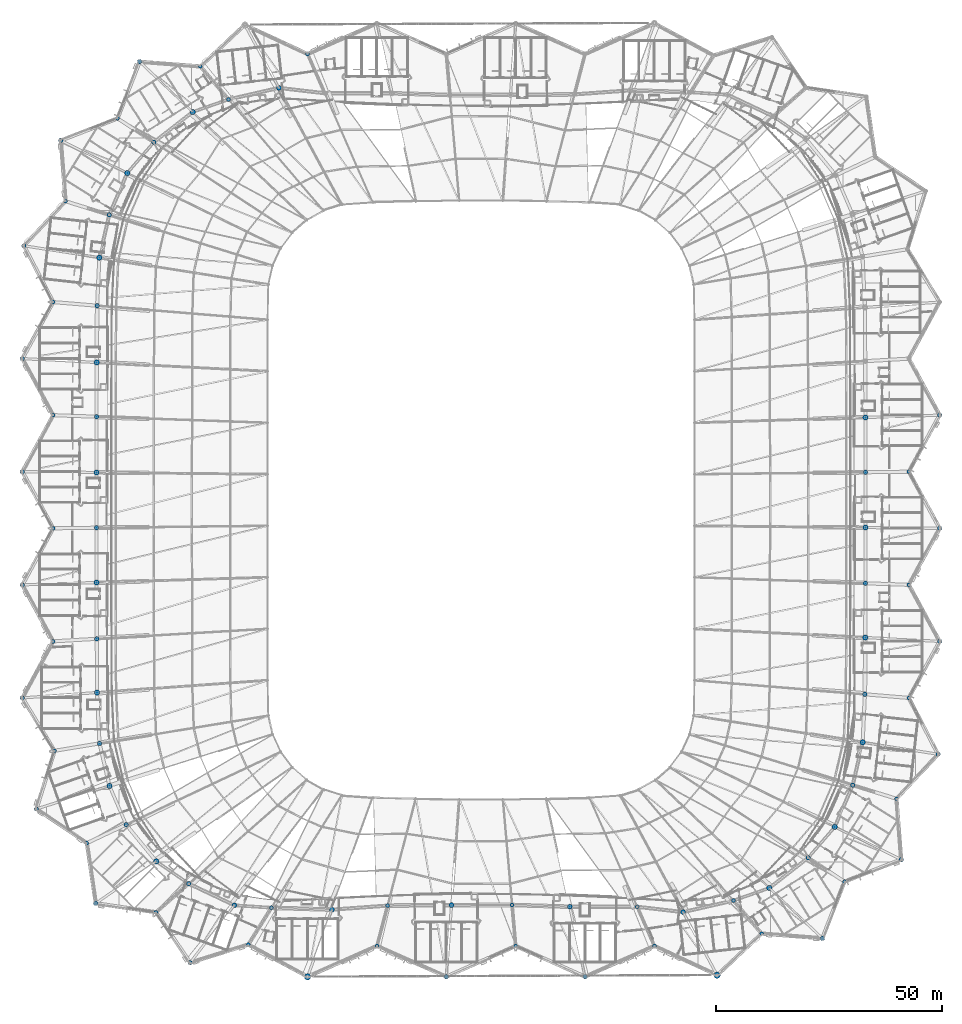
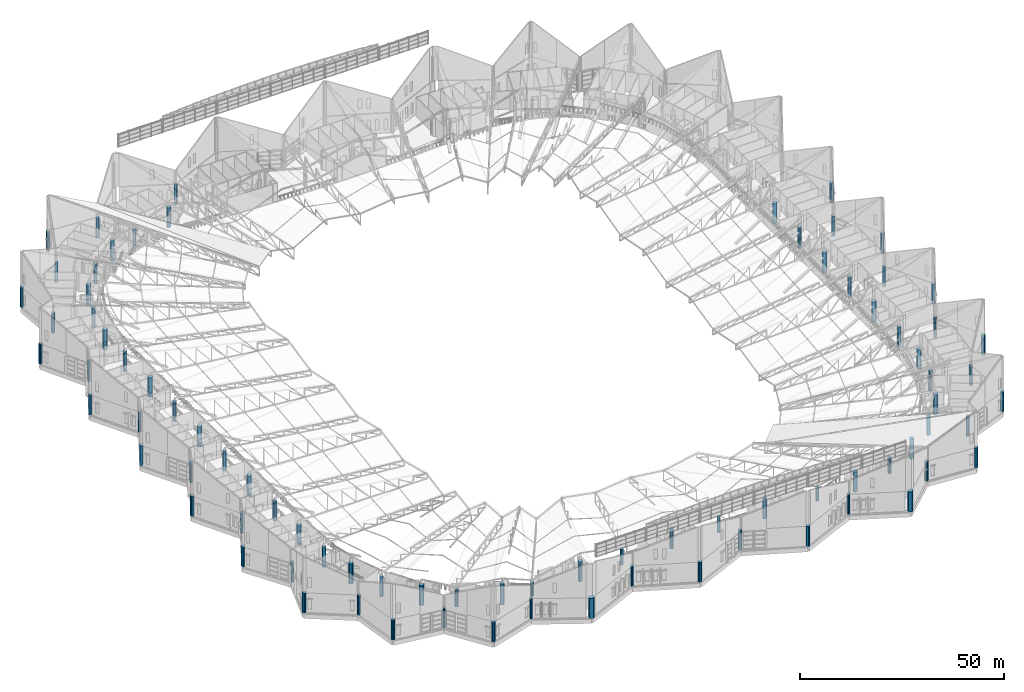
# One storey, part 1 of 344: 82 columns.
"""IFC4 building model written with IfcOpenShell, lengths in metres."""

from ifc_helpers import new_model, si_unit, direction, frame, origin, origin_2d, place, context, subcontext, project, spatial, circle, extrude, material, material_profile, profile_set, type_object, element, save


model = new_model("IFC4")

# Units and contexts
model_context = context("Model", 3, precision=1e-05, world=origin(), true_north=direction((0.0, 1.0)))
body_context = subcontext(model_context, "Body", "Model", "MODEL_VIEW")
ifc_project = project(units=[si_unit("LENGTHUNIT", "METRE"), si_unit("AREAUNIT", "SQUARE_METRE"), si_unit("VOLUMEUNIT", "CUBIC_METRE"), si_unit("PLANEANGLEUNIT", "RADIAN"), si_unit("MASSUNIT", "GRAM", prefix="KILO")], contexts=[model_context])

# Site, building, storey
site_placement = place(None, origin())
site = spatial("IfcSite", under=ifc_project, at=site_placement, CompositionType="ELEMENT")
building_placement = place(site_placement, origin())
building = spatial("IfcBuilding", under=site, at=building_placement, Name="Meseta Stadium", CompositionType="ELEMENT")
storey_placement = place(building_placement, frame((0.0, 0.0, 24.0)))
storey = spatial("IfcBuildingStorey", under=building, at=storey_placement, Name="L04", CompositionType="ELEMENT", Elevation=24.0)

# Columns
ifc_material_1 = material(Name="Concrete C40/50", Category="concrete")
ifc_material_profile_1 = material_profile(ifc_material_1, circle(Radius=0.5, at=origin_2d()), Name="RC D1000")
ifc_profile_set_1 = profile_set([ifc_material_profile_1], Name="Concrete C40/50")
column_type_1 = type_object("IfcColumnType", Name="RC column D1000", PredefinedType="COLUMN", material=ifc_profile_set_1)
for number, where, z_axis, x_axis, name in (
    (1, (101.0517578125, -56.202880859375, 0.0), (0.0, 0.0, 1.0), (1.0, 0.0, 0.0), "Column C10 L04 frame 0 line R"),
    (2, (84.85400390625, -42.948486328125, 0.0), (0.0, 0.0, 1.0), (1.0, 0.0, 0.0), "Column C10 L04 frame 1 line P"),
    (3, (101.39990234375, -31.25, 0.0), (0.0, 0.0, 1.0), (1.0, 0.0, 0.0), "Column C10 L04 frame 2 line R"),
    (4, (84.97314453125, -18.41064453125, 0.0), (0.0, 0.0, 1.0), (1.0, 0.0, 0.0), "Column C10 L04 frame 3 line P"),
    (5, (101.39990234375, -6.25, 0.0), (0.0, 0.0, 1.0), (1.0, 0.0, 0.0), "Column C10 L04 frame 4 line R"),
    (6, (84.9970703125, 6.13720703125, 0.0), (0.0, 0.0, 1.0), (1.0, 0.0, 0.0), "Column C10 L04 frame 5 line P"),
    (7, (101.39990234375, 18.75, 0.0), (0.0, 0.0, 1.0), (1.0, 0.0, 0.0), "Column C10 L04 frame 6 line R"),
    (8, (-75.474609375, 96.908447265625, 0.0), (0.0, 0.0, 1.0), (1.0, 0.0, 0.0), "Column C10 L04 frame 24 line R"),
    (9, (-72.31201171875, 79.091064453125, 0.0), (0.0, 0.0, 1.0), (1.0, 0.0, 0.0), "Column C10 L04 frame 25 line P"),
    (10, (-92.908447265625, 79.474609375, 0.0), (0.0, 0.0, 1.0), (1.0, 0.0, 0.0), "Column C10 L04 frame 26 line R"),
    (11, (-82.169189453125, 63.03369140625, 0.0), (0.0, 0.0, 1.0), (1.0, 0.0, 0.0), "Column C10 L04 frame 27 line P"),
    (12, (-101.0517578125, 56.202880859375, 0.0), (0.0, 0.0, 1.0), (1.0, 0.0, 0.0), "Column C10 L04 frame 28 line R"),
    (13, (-84.85400390625, 42.948486328125, 0.0), (0.0, 0.0, 1.0), (1.0, 0.0, 0.0), "Column C10 L04 frame 29 line P"),
    (14, (-101.39990234375, 31.25, 0.0), (0.0, 0.0, 1.0), (1.0, 0.0, 0.0), "Column C10 L04 frame 30 line R"),
    (15, (-84.97314453125, 18.41064453125, 0.0), (0.0, 0.0, 1.0), (1.0, 0.0, 0.0), "Column C10 L04 frame 31 line P"),
    (16, (-101.39990234375, 6.25, 0.0), (0.0, 0.0, 1.0), (1.0, 0.0, 0.0), "Column C10 L04 frame 32 line R"),
    (17, (-84.9970703125, -6.13720703125, 0.0), (0.0, 0.0, 1.0), (1.0, 0.0, 0.0), "Column C10 L04 frame 33 line P"),
    (18, (-101.39990234375, -18.75, 0.0), (0.0, 0.0, 1.0), (1.0, 0.0, 0.0), "Column C10 L04 frame 34 line R"),
    (19, (-84.92529296875, -30.681640625, 0.0), (0.0, 0.0, 1.0), (1.0, 0.0, 0.0), "Column C10 L04 frame 35 line P"),
    (20, (-101.39990234375, -43.75, 0.0), (0.0, 0.0, 1.0), (1.0, 0.0, 0.0), "Column C10 L04 frame 36 line R"),
    (21, (-84.3251953125, -53.801513671875, 0.0), (0.0, 0.0, 1.0), (1.0, 0.0, 0.0), "Column C10 L04 frame 37 line P"),
    (22, (-98.291015625, -68.29736328125, 0.0), (0.0, 0.0, 1.0), (1.0, 0.0, 0.0), "Column C10 L04 frame 38 line R"),
    (23, (-78.4453125, -71.756103515625, 0.0), (0.0, 0.0, 1.0), (1.0, 0.0, 0.0), "Column C10 L04 frame 39 line P"),
    (24, (-85.173828125, -89.173828125, 0.0), (0.0, 0.0, 1.0), (1.0, 0.0, 0.0), "Column C10 L04 frame 40 line R"),
):
    element("IfcColumn", number, at=place(storey_placement, frame(where, z_axis=z_axis, x_axis=x_axis)), inside=storey, type_object=column_type_1, Name=name, PredefinedType="COLUMN", context=body_context, shape_type="SweptSolid", body=[
        extrude(circle(Radius=0.5, at=origin_2d()), origin(), (0.0, 0.0, 1.0), 6.0),
    ])
column_1_placement = place(storey_placement, frame((-64.6220703125, -84.79248046875, 0.0), z_axis=(0.0, 0.0, 1.0), x_axis=(1.0, 0.0, 0.0)))
element("IfcColumn", 25, at=column_1_placement, inside=storey, type_object=column_type_1, Name="Column C10 L04 frame 41 line P", PredefinedType="COLUMN", context=body_context, shape_type="SweptSolid", body=[
    extrude(circle(Radius=0.5, at=origin_2d()), origin(), (0.0, 0.0, 1.0), 5.300048828125),
])
for number, where, z_axis, x_axis, name in (
    (26, (-64.29736328125, -102.291015625, 0.0), (0.0, 0.0, 1.0), (1.0, 0.0, 0.0), "Column C10 L04 frame 42 line R"),
    (27, (-7.666748046875, -105.39990234375, 0.0), (0.0, 0.0, 1.0), (1.0, 0.0, 0.0), "Column C10 L04 frame 46 line R"),
    (28, (23.0, -105.39990234375, 0.0), (0.0, 0.0, 1.0), (1.0, 0.0, 0.0), "Column C10 L04 frame 48 line R"),
    (29, (75.474609375, -96.908447265625, 0.0), (0.0, 0.0, 1.0), (1.0, 0.0, 0.0), "Column C10 L04 frame 52 line R"),
    (30, (72.31201171875, -79.091064453125, 0.0), (0.0, 0.0, 1.0), (1.0, 0.0, 0.0), "Column C10 L04 frame 53 line P"),
    (31, (92.908447265625, -79.474609375, 0.0), (0.0, 0.0, 1.0), (1.0, 0.0, 0.0), "Column C10 L04 frame 54 line R"),
    (32, (82.169189453125, -63.03369140625, 0.0), (0.0, 0.0, 1.0), (1.0, 0.0, 0.0), "Column C10 L04 frame 55 line P"),
):
    element("IfcColumn", number, at=place(storey_placement, frame(where, z_axis=z_axis, x_axis=x_axis)), inside=storey, type_object=column_type_1, Name=name, PredefinedType="COLUMN", context=body_context, shape_type="SweptSolid", body=[
        extrude(circle(Radius=0.5, at=origin_2d()), origin(), (0.0, 0.0, 1.0), 6.0),
    ])
ifc_material_2 = material(Name="Concrete C40/50", Category="concrete")
ifc_material_profile_2 = material_profile(ifc_material_2, circle(Radius=0.550048828125, at=origin_2d()), Name="RC D1100")
ifc_profile_set_2 = profile_set([ifc_material_profile_2], Name="Concrete C40/50")
column_type_2 = type_object("IfcColumnType", Name="RC column D1100", PredefinedType="COLUMN", material=ifc_profile_set_2)
for number, where, z_axis, x_axis, name in (
    (33, (-44.6826171875, 91.0908203125, 0.0), (0.0, 0.0, 1.0), (1.0, 0.0, 0.0), "Column C11 L04 frame 22 line P"),
    (34, (-54.523193359375, -89.579345703125, 0.0), (0.0, 0.0, 1.0), (1.0, 0.0, 0.0), "Column C11 L04 frame 42 line P"),
    (35, (-32.944091796875, -90.551025390625, 0.0), (0.0, 0.0, 1.0), (1.0, 0.0, 0.0), "Column C11 L04 frame 44 line P"),
    (36, (-6.51708984375, -89.54638671875, 0.0), (0.0, 0.0, 1.0), (1.0, 0.0, 0.0), "Column C11 L04 frame 46 line P"),
    (37, (19.62744140625, -89.90380859375, 0.0), (0.0, 0.0, 1.0), (1.0, 0.0, 0.0), "Column C11 L04 frame 48 line P"),
    (38, (44.6826171875, -91.0908203125, 0.0), (0.0, 0.0, 1.0), (1.0, 0.0, 0.0), "Column C11 L04 frame 50 line P"),
):
    element("IfcColumn", number, at=place(storey_placement, frame(where, z_axis=z_axis, x_axis=x_axis)), inside=storey, type_object=column_type_2, Name=name, PredefinedType="COLUMN", context=body_context, shape_type="SweptSolid", body=[
        extrude(circle(Radius=0.550048828125, at=origin_2d()), origin(), (0.0, 0.0, 1.0), 6.0),
    ])
ifc_material_3 = material(Name="Concrete C40/50", Category="concrete")
ifc_material_profile_3 = material_profile(ifc_material_3, circle(Radius=0.60009765625, at=origin_2d()), Name="RC D1200")
ifc_profile_set_3 = profile_set([ifc_material_profile_3], Name="Concrete C40/50")
column_type_3 = type_object("IfcColumnType", Name="RC column D1200", PredefinedType="COLUMN", material=ifc_profile_set_3)
for number, where, z_axis, x_axis, name in (
    (39, (84.36328125, -53.5654296875, 0.0), (0.0, 0.0, 1.0), (1.0, 0.0, 0.0), "Column C12 L04 frame 0 line P"),
    (40, (84.940673828125, -30.404052734375, 0.0), (0.0, 0.0, 1.0), (1.0, 0.0, 0.0), "Column C12 L04 frame 2 line P"),
    (41, (84.99755859375, -6.081298828125, 0.0), (0.0, 0.0, 1.0), (1.0, 0.0, 0.0), "Column C12 L04 frame 4 line P"),
    (42, (84.978515625, 18.24365234375, 0.0), (0.0, 0.0, 1.0), (1.0, 0.0, 0.0), "Column C12 L04 frame 6 line P"),
    (43, (-63.731201171875, 85.77099609375, 0.0), (0.0, 0.0, 1.0), (1.0, 0.0, 0.0), "Column C12 L04 frame 24 line P"),
    (44, (-78.197998046875, 72.27197265625, 0.0), (0.0, 0.0, 1.0), (1.0, 0.0, 0.0), "Column C12 L04 frame 26 line P"),
    (45, (-84.36328125, 53.5654296875, 0.0), (0.0, 0.0, 1.0), (1.0, 0.0, 0.0), "Column C12 L04 frame 28 line P"),
    (46, (-84.940673828125, 30.404052734375, 0.0), (0.0, 0.0, 1.0), (1.0, 0.0, 0.0), "Column C12 L04 frame 30 line P"),
    (47, (-84.99755859375, 6.081298828125, 0.0), (0.0, 0.0, 1.0), (1.0, 0.0, 0.0), "Column C12 L04 frame 32 line P"),
    (48, (-84.978515625, -18.24365234375, 0.0), (0.0, 0.0, 1.0), (1.0, 0.0, 0.0), "Column C12 L04 frame 34 line P"),
    (49, (-84.884033203125, -42.5615234375, 0.0), (0.0, 0.0, 1.0), (1.0, 0.0, 0.0), "Column C12 L04 frame 36 line P"),
    (50, (-82.119873046875, -63.191162109375, 0.0), (0.0, 0.0, 1.0), (1.0, 0.0, 0.0), "Column C12 L04 frame 38 line P"),
    (51, (-71.775390625, -79.888916015625, 0.0), (0.0, 0.0, 1.0), (1.0, 0.0, 0.0), "Column C12 L04 frame 40 line P"),
    (52, (63.731201171875, -85.77099609375, 0.0), (0.0, 0.0, 1.0), (1.0, 0.0, 0.0), "Column C12 L04 frame 52 line P"),
    (53, (78.197998046875, -72.27197265625, 0.0), (0.0, 0.0, 1.0), (1.0, 0.0, 0.0), "Column C12 L04 frame 54 line P"),
):
    element("IfcColumn", number, at=place(storey_placement, frame(where, z_axis=z_axis, x_axis=x_axis)), inside=storey, type_object=column_type_3, Name=name, PredefinedType="COLUMN", context=body_context, shape_type="SweptSolid", body=[
        extrude(circle(Radius=0.60009765625, at=origin_2d()), origin(), (0.0, 0.0, 1.0), 6.0),
    ])
ifc_material_4 = material(Name="Concrete C40/50", Category="concrete")
ifc_material_profile_4 = material_profile(ifc_material_4, circle(Radius=0.699951171875, at=origin_2d()), Name="RC D1400")
ifc_profile_set_4 = profile_set([ifc_material_profile_4], Name="Concrete C40/50")
column_type_4 = type_object("IfcColumnType", Name="RC column D1400", PredefinedType="COLUMN", material=ifc_profile_set_4)
for number, where, z_axis, x_axis, name in (
    (54, (-38.333251953125, -105.39990234375, 0.0), (0.0, 0.0, 1.0), (1.0, 0.0, 0.0), "Column C14 L04 frame 44 line R"),
    (55, (52.202880859375, -105.0517578125, 0.0), (0.0, 0.0, 1.0), (1.0, 0.0, 0.0), "Column C14 L04 frame 50 line R"),
):
    element("IfcColumn", number, at=place(storey_placement, frame(where, z_axis=z_axis, x_axis=x_axis)), inside=storey, type_object=column_type_4, Name=name, PredefinedType="COLUMN", context=body_context, shape_type="SweptSolid", body=[
        extrude(circle(Radius=0.699951171875, at=origin_2d()), origin(), (0.0, 0.0, 1.0), 6.0),
    ])
ifc_material_5 = material(Name="Concrete C40/50", Category="concrete")
ifc_material_profile_5 = material_profile(ifc_material_5, circle(Radius=0.449951171875, at=origin_2d()), Name="RC D900")
ifc_profile_set_5 = profile_set([ifc_material_profile_5], Name="Concrete C40/50")
column_type_5 = type_object("IfcColumnType", Name="RC column D900", PredefinedType="COLUMN", material=ifc_profile_set_5)
for number, where, z_axis, x_axis, name in (
    (56, (94.60009765625, -43.75, 0.0), (0.0, 0.0, 1.0), (1.0, 0.0, 0.0), "Column C9 L04 frame 1 line R"),
    (57, (94.60009765625, -18.75, 0.0), (0.0, 0.0, 1.0), (1.0, 0.0, 0.0), "Column C9 L04 frame 3 line R"),
    (58, (94.60009765625, 6.25, 0.0), (0.0, 0.0, 1.0), (1.0, 0.0, 0.0), "Column C9 L04 frame 5 line R"),
    (59, (-38.333251953125, 98.60009765625, 0.0), (0.0, 0.0, 1.0), (1.0, 0.0, 0.0), "Column C9 L04 frame 21 line R"),
):
    element("IfcColumn", number, at=place(storey_placement, frame(where, z_axis=z_axis, x_axis=x_axis)), inside=storey, type_object=column_type_5, Name=name, PredefinedType="COLUMN", context=body_context, shape_type="SweptSolid", body=[
        extrude(circle(Radius=0.449951171875, at=origin_2d()), origin(), (0.0, 0.0, 1.0), 6.0),
    ])
column_2_placement = place(storey_placement, frame((-55.799560546875, 88.541748046875, 0.0), z_axis=(0.0, 0.0, 1.0), x_axis=(1.0, 0.0, 0.0)))
element("IfcColumn", 60, at=column_2_placement, inside=storey, type_object=column_type_5, Name="Column C9 L04 frame 23 line P", PredefinedType="COLUMN", context=body_context, shape_type="SweptSolid", body=[
    extrude(circle(Radius=0.449951171875, at=origin_2d()), origin(), (0.0, 0.0, 1.0), 4.800048828125),
])
for number, where, z_axis, x_axis, name in (
    (61, (-62.051513671875, 95.872802734375, 0.0), (0.0, 0.0, 1.0), (1.0, 0.0, 0.0), "Column C9 L04 frame 23 line R"),
    (62, (-80.365478515625, 84.365478515625, 0.0), (0.0, 0.0, 1.0), (1.0, 0.0, 0.0), "Column C9 L04 frame 25 line R"),
    (63, (-91.872802734375, 66.051513671875, 0.0), (0.0, 0.0, 1.0), (1.0, 0.0, 0.0), "Column C9 L04 frame 27 line R"),
    (64, (-94.60009765625, 43.75, 0.0), (0.0, 0.0, 1.0), (1.0, 0.0, 0.0), "Column C9 L04 frame 29 line R"),
    (65, (-94.60009765625, 18.75, 0.0), (0.0, 0.0, 1.0), (1.0, 0.0, 0.0), "Column C9 L04 frame 31 line R"),
    (66, (-94.60009765625, -6.25, 0.0), (0.0, 0.0, 1.0), (1.0, 0.0, 0.0), "Column C9 L04 frame 33 line R"),
    (67, (-94.60009765625, -31.25, 0.0), (0.0, 0.0, 1.0), (1.0, 0.0, 0.0), "Column C9 L04 frame 35 line R"),
    (68, (-94.29443359375, -55.44140625, 0.0), (0.0, 0.0, 1.0), (1.0, 0.0, 0.0), "Column C9 L04 frame 37 line R"),
    (69, (-87.15087890625, -75.856689453125, 0.0), (0.0, 0.0, 1.0), (1.0, 0.0, 0.0), "Column C9 L04 frame 39 line R"),
    (70, (-71.856689453125, -91.15087890625, 0.0), (0.0, 0.0, 1.0), (1.0, 0.0, 0.0), "Column C9 L04 frame 41 line R"),
):
    element("IfcColumn", number, at=place(storey_placement, frame(where, z_axis=z_axis, x_axis=x_axis)), inside=storey, type_object=column_type_5, Name=name, PredefinedType="COLUMN", context=body_context, shape_type="SweptSolid", body=[
        extrude(circle(Radius=0.449951171875, at=origin_2d()), origin(), (0.0, 0.0, 1.0), 6.0),
    ])
column_3_placement = place(storey_placement, frame((-46.333251953125, -90.126220703125, 0.0), z_axis=(0.0, 0.0, 1.0), x_axis=(1.0, 0.0, 0.0)))
element("IfcColumn", 71, at=column_3_placement, inside=storey, type_object=column_type_5, Name="Column C9 L04 frame 43 line P", PredefinedType="COLUMN", context=body_context, shape_type="SweptSolid", body=[
    extrude(circle(Radius=0.449951171875, at=origin_2d()), origin(), (0.0, 0.0, 1.0), 4.14990234375),
])
column_4_placement = place(storey_placement, frame((-51.44140625, -98.29443359375, 0.0), z_axis=(0.0, 0.0, 1.0), x_axis=(1.0, 0.0, 0.0)))
element("IfcColumn", 72, at=column_4_placement, inside=storey, type_object=column_type_5, Name="Column C9 L04 frame 43 line R", PredefinedType="COLUMN", context=body_context, shape_type="SweptSolid", body=[
    extrude(circle(Radius=0.449951171875, at=origin_2d()), origin(), (0.0, 0.0, 1.0), 6.0),
])
column_5_placement = place(storey_placement, frame((-20.649658203125, -89.65625, 0.0), z_axis=(0.0, 0.0, 1.0), x_axis=(1.0, 0.0, 0.0)))
element("IfcColumn", 73, at=column_5_placement, inside=storey, type_object=column_type_5, Name="Column C9 L04 frame 45 line P", PredefinedType="COLUMN", context=body_context, shape_type="SweptSolid", body=[
    extrude(circle(Radius=0.449951171875, at=origin_2d()), origin(), (0.0, 0.0, 1.0), 4.800048828125),
])
column_6_placement = place(storey_placement, frame((-23.0, -98.60009765625, 0.0), z_axis=(0.0, 0.0, 1.0), x_axis=(1.0, 0.0, 0.0)))
element("IfcColumn", 74, at=column_6_placement, inside=storey, type_object=column_type_5, Name="Column C9 L04 frame 45 line R", PredefinedType="COLUMN", context=body_context, shape_type="SweptSolid", body=[
    extrude(circle(Radius=0.449951171875, at=origin_2d()), origin(), (0.0, 0.0, 1.0), 6.0),
])
column_7_placement = place(storey_placement, frame((6.870849609375, -89.517822265625, 0.0), z_axis=(0.0, 0.0, 1.0), x_axis=(1.0, 0.0, 0.0)))
element("IfcColumn", 75, at=column_7_placement, inside=storey, type_object=column_type_5, Name="Column C9 L04 frame 47 line P", PredefinedType="COLUMN", context=body_context, shape_type="SweptSolid", body=[
    extrude(circle(Radius=0.449951171875, at=origin_2d()), origin(), (0.0, 0.0, 1.0), 4.800048828125),
])
column_8_placement = place(storey_placement, frame((7.666748046875, -98.60009765625, 0.0), z_axis=(0.0, 0.0, 1.0), x_axis=(1.0, 0.0, 0.0)))
element("IfcColumn", 76, at=column_8_placement, inside=storey, type_object=column_type_5, Name="Column C9 L04 frame 47 line R", PredefinedType="COLUMN", context=body_context, shape_type="SweptSolid", body=[
    extrude(circle(Radius=0.449951171875, at=origin_2d()), origin(), (0.0, 0.0, 1.0), 6.0),
])
column_9_placement = place(storey_placement, frame((34.53076171875, -89.911865234375, 0.0), z_axis=(0.0, 0.0, 1.0), x_axis=(1.0, 0.0, 0.0)))
element("IfcColumn", 77, at=column_9_placement, inside=storey, type_object=column_type_5, Name="Column C9 L04 frame 49 line P", PredefinedType="COLUMN", context=body_context, shape_type="SweptSolid", body=[
    extrude(circle(Radius=0.449951171875, at=origin_2d()), origin(), (0.0, 0.0, 1.0), 3.89990234375),
])
column_10_placement = place(storey_placement, frame((38.333251953125, -98.60009765625, 0.0), z_axis=(0.0, 0.0, 1.0), x_axis=(1.0, 0.0, 0.0)))
element("IfcColumn", 78, at=column_10_placement, inside=storey, type_object=column_type_5, Name="Column C9 L04 frame 49 line R", PredefinedType="COLUMN", context=body_context, shape_type="SweptSolid", body=[
    extrude(circle(Radius=0.449951171875, at=origin_2d()), origin(), (0.0, 0.0, 1.0), 6.0),
])
column_11_placement = place(storey_placement, frame((55.799560546875, -88.541748046875, 0.0), z_axis=(0.0, 0.0, 1.0), x_axis=(1.0, 0.0, 0.0)))
element("IfcColumn", 79, at=column_11_placement, inside=storey, type_object=column_type_5, Name="Column C9 L04 frame 51 line P", PredefinedType="COLUMN", context=body_context, shape_type="SweptSolid", body=[
    extrude(circle(Radius=0.449951171875, at=origin_2d()), origin(), (0.0, 0.0, 1.0), 4.800048828125),
])
for number, where, z_axis, x_axis, name in (
    (80, (62.051513671875, -95.872802734375, 0.0), (0.0, 0.0, 1.0), (1.0, 0.0, 0.0), "Column C9 L04 frame 51 line R"),
    (81, (80.365478515625, -84.365478515625, 0.0), (0.0, 0.0, 1.0), (1.0, 0.0, 0.0), "Column C9 L04 frame 53 line R"),
    (82, (91.872802734375, -66.051513671875, 0.0), (0.0, 0.0, 1.0), (1.0, 0.0, 0.0), "Column C9 L04 frame 55 line R"),
):
    element("IfcColumn", number, at=place(storey_placement, frame(where, z_axis=z_axis, x_axis=x_axis)), inside=storey, type_object=column_type_5, Name=name, PredefinedType="COLUMN", context=body_context, shape_type="SweptSolid", body=[
        extrude(circle(Radius=0.449951171875, at=origin_2d()), origin(), (0.0, 0.0, 1.0), 6.0),
    ])

save(model, "model.ifc")
